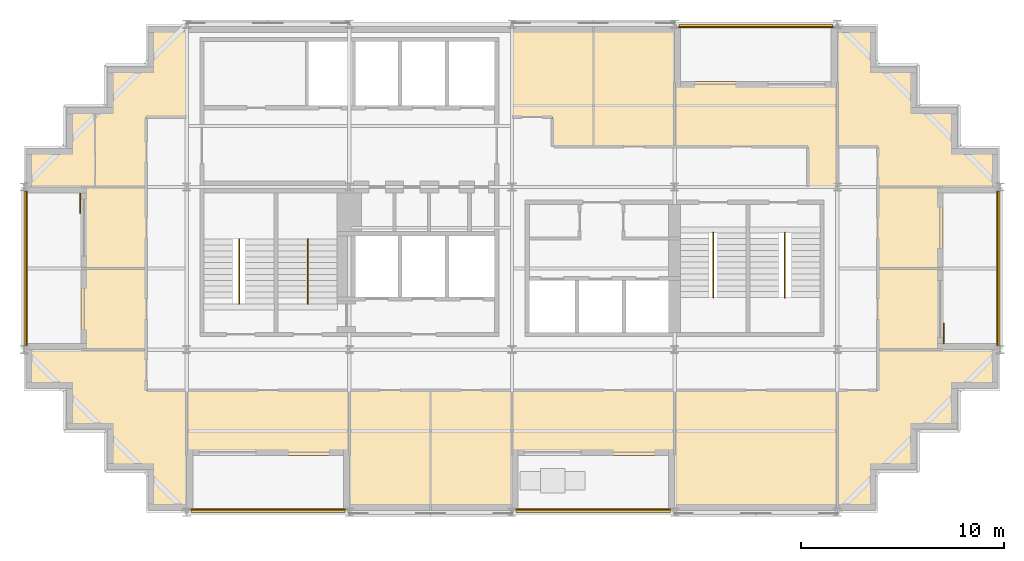
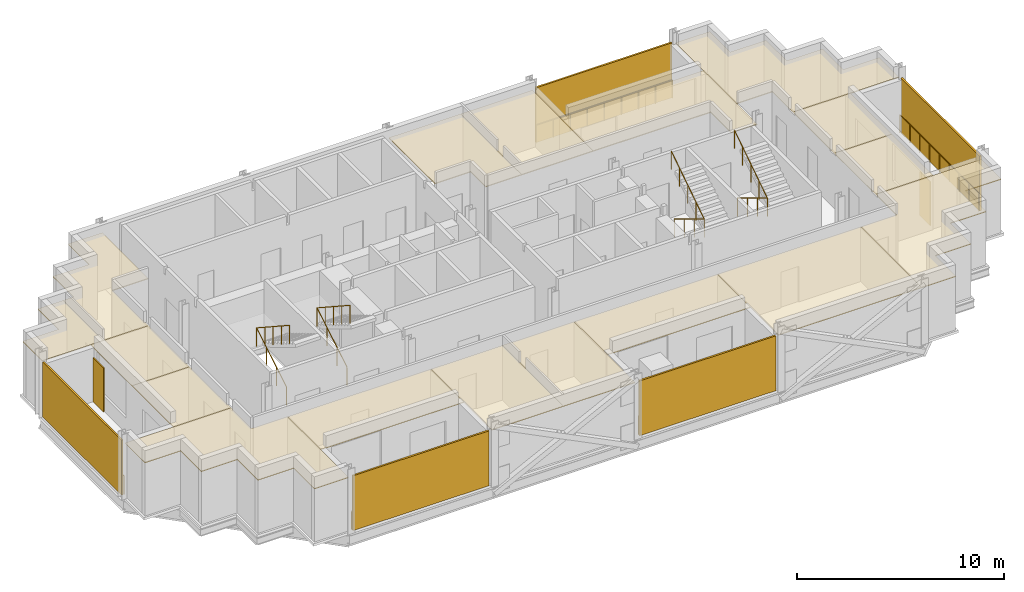
# One storey, part 9 of 10: 17 coverings, 9 railings, 7 shading devices.
"""IFC4 building model written with IfcOpenShell, lengths in metres."""

from ifc_helpers import new_model, si_unit, direction, frame, origin, origin_2d, place, context, subcontext, project, spatial, polyline, rectangle, circle, outline, extrude, material, layer, layer_set, type_object, element, save


model = new_model("IFC4")

# Units and contexts
model_context = context("Model", 3, precision=1e-05, world=origin(), true_north=direction((0.0, 1.0)))
body_context = subcontext(model_context, "Body", "Model", "MODEL_VIEW")
ifc_project = project(units=[si_unit("LENGTHUNIT", "METRE"), si_unit("AREAUNIT", "SQUARE_METRE"), si_unit("VOLUMEUNIT", "CUBIC_METRE"), si_unit("PLANEANGLEUNIT", "RADIAN"), si_unit("MASSUNIT", "GRAM", prefix="KILO")], contexts=[model_context])

# Site, building, storey
site_placement = place(None, origin())
site = spatial("IfcSite", under=ifc_project, at=site_placement, CompositionType="ELEMENT")
building_placement = place(site_placement, origin())
building = spatial("IfcBuilding", under=site, at=building_placement, Name="Immortelle Media Tower", CompositionType="ELEMENT")
storey_placement = place(building_placement, frame((0.0, 0.0, 221.0)))
storey = spatial("IfcBuildingStorey", under=building, at=storey_placement, Name="L47", CompositionType="ELEMENT", Elevation=221.0)

# Railings
ifc_material_1 = material(Name="Powder-coated aluminium fretwork panel, laminated glass backing", Category="aluminium")
railing_type_1 = type_object("IfcRailingType", Name="Fretwork balustrade 1100", PredefinedType="BALUSTRADE", material=ifc_material_1)
railing_1_placement = place(storey_placement, frame((8.199462890625, 0.139892578125, 0.0)))
element("IfcRailing", 1, at=railing_1_placement, inside=storey, type_object=railing_type_1, Name="Fretwork balustrade L47 S0", PredefinedType="BALUSTRADE", context=body_context, shape_type="SweptSolid", body=[
    extrude(circle(Radius=0.02490234375, at=origin_2d()), frame((0.0, 0.0, 1.0751953125), z_axis=(1.0, 0.0, 0.0), x_axis=(0.0, 1.0, 0.0)), (0.0, 0.0, 1.0), 7.59765625),
    extrude(circle(Radius=0.02001953125, at=origin_2d()), origin(), (0.0, 0.0, 1.0), 1.050048828125),
    extrude(circle(Radius=0.02001953125, at=origin_2d()), frame((0.94970703125, 0.0, 0.0)), (0.0, 0.0, 1.0), 1.050048828125),
    extrude(circle(Radius=0.02001953125, at=origin_2d()), frame((1.8994140625, 0.0, 0.0)), (0.0, 0.0, 1.0), 1.050048828125),
    extrude(circle(Radius=0.02001953125, at=origin_2d()), frame((2.84912109375, 0.0, 0.0)), (0.0, 0.0, 1.0), 1.050048828125),
    extrude(circle(Radius=0.02001953125, at=origin_2d()), frame((3.798828125, 0.0, 0.0)), (0.0, 0.0, 1.0), 1.050048828125),
    extrude(circle(Radius=0.02001953125, at=origin_2d()), frame((4.74853515625, 0.0, 0.0)), (0.0, 0.0, 1.0), 1.050048828125),
    extrude(circle(Radius=0.02001953125, at=origin_2d()), frame((5.6982421875, 0.0, 0.0)), (0.0, 0.0, 1.0), 1.050048828125),
    extrude(circle(Radius=0.02001953125, at=origin_2d()), frame((6.64794921875, 0.0, 0.0)), (0.0, 0.0, 1.0), 1.050048828125),
    extrude(circle(Radius=0.02001953125, at=origin_2d()), frame((7.59765625, 0.0, 0.0)), (0.0, 0.0, 1.0), 1.050048828125),
])
railing_2_placement = place(storey_placement, frame((24.202880859375, 0.139892578125, 0.0)))
element("IfcRailing", 2, at=railing_2_placement, inside=storey, type_object=railing_type_1, Name="Fretwork balustrade L47 S2", PredefinedType="BALUSTRADE", context=body_context, shape_type="SweptSolid", body=[
    extrude(circle(Radius=0.02490234375, at=origin_2d()), frame((0.0, 0.0, 1.0751953125), z_axis=(1.0, 0.0, 0.0), x_axis=(0.0, 1.0, 0.0)), (0.0, 0.0, 1.0), 7.59423828125),
    extrude(circle(Radius=0.02001953125, at=origin_2d()), origin(), (0.0, 0.0, 1.0), 1.050048828125),
    extrude(circle(Radius=0.02001953125, at=origin_2d()), frame((0.94921875, 0.0, 0.0)), (0.0, 0.0, 1.0), 1.050048828125),
    extrude(circle(Radius=0.02001953125, at=origin_2d()), frame((1.8984375, 0.0, 0.0)), (0.0, 0.0, 1.0), 1.050048828125),
    extrude(circle(Radius=0.02001953125, at=origin_2d()), frame((2.847900390625, 0.0, 0.0)), (0.0, 0.0, 1.0), 1.050048828125),
    extrude(circle(Radius=0.02001953125, at=origin_2d()), frame((3.797119140625, 0.0, 0.0)), (0.0, 0.0, 1.0), 1.050048828125),
    extrude(circle(Radius=0.02001953125, at=origin_2d()), frame((4.746337890625, 0.0, 0.0)), (0.0, 0.0, 1.0), 1.050048828125),
    extrude(circle(Radius=0.02001953125, at=origin_2d()), frame((5.69580078125, 0.0, 0.0)), (0.0, 0.0, 1.0), 1.050048828125),
    extrude(circle(Radius=0.02001953125, at=origin_2d()), frame((6.64501953125, 0.0, 0.0)), (0.0, 0.0, 1.0), 1.050048828125),
    extrude(circle(Radius=0.02001953125, at=origin_2d()), frame((7.59423828125, 0.0, 0.0)), (0.0, 0.0, 1.0), 1.050048828125),
])
railing_3_placement = place(storey_placement, frame((47.860107421875, 8.193115234375, 0.0)))
element("IfcRailing", 3, at=railing_3_placement, inside=storey, type_object=railing_type_1, Name="Fretwork balustrade L47 E0", PredefinedType="BALUSTRADE", context=body_context, shape_type="SweptSolid", body=[
    extrude(circle(Radius=0.02490234375, at=origin_2d()), frame((0.0, 0.0, 1.0751953125), z_axis=(0.0, 1.0, 0.0), x_axis=(-1.0, 0.0, 0.0)), (0.0, 0.0, 1.0), 7.61376953125),
    extrude(circle(Radius=0.02001953125, at=origin_2d()), origin(), (0.0, 0.0, 1.0), 1.050048828125),
    extrude(circle(Radius=0.02001953125, at=origin_2d()), frame((0.0, 0.95166015625, 0.0)), (0.0, 0.0, 1.0), 1.050048828125),
    extrude(circle(Radius=0.02001953125, at=origin_2d()), frame((0.0, 1.9033203125, 0.0)), (0.0, 0.0, 1.0), 1.050048828125),
    extrude(circle(Radius=0.02001953125, at=origin_2d()), frame((0.0, 2.855224609375, 0.0)), (0.0, 0.0, 1.0), 1.050048828125),
    extrude(circle(Radius=0.02001953125, at=origin_2d()), frame((0.0, 3.806884765625, 0.0)), (0.0, 0.0, 1.0), 1.050048828125),
    extrude(circle(Radius=0.02001953125, at=origin_2d()), frame((0.0, 4.758544921875, 0.0)), (0.0, 0.0, 1.0), 1.050048828125),
    extrude(circle(Radius=0.02001953125, at=origin_2d()), frame((0.0, 5.71044921875, 0.0)), (0.0, 0.0, 1.0), 1.050048828125),
    extrude(circle(Radius=0.02001953125, at=origin_2d()), frame((0.0, 6.662109375, 0.0)), (0.0, 0.0, 1.0), 1.050048828125),
    extrude(circle(Radius=0.02001953125, at=origin_2d()), frame((0.0, 7.61376953125, 0.0)), (0.0, 0.0, 1.0), 1.050048828125),
])
railing_4_placement = place(storey_placement, frame((39.800537109375, 23.860107421875, 0.0)))
element("IfcRailing", 4, at=railing_4_placement, inside=storey, type_object=railing_type_1, Name="Fretwork balustrade L47 N0", PredefinedType="BALUSTRADE", context=body_context, shape_type="SweptSolid", body=[
    extrude(circle(Radius=0.02490234375, at=origin_2d()), frame((0.0, 0.0, 1.0751953125), z_axis=(-1.0, 0.0, 0.0), x_axis=(0.0, -1.0, 0.0)), (0.0, 0.0, 1.0), 7.59765625),
    extrude(circle(Radius=0.02001953125, at=origin_2d()), origin(), (0.0, 0.0, 1.0), 1.050048828125),
    extrude(circle(Radius=0.02001953125, at=origin_2d()), frame((-0.94970703125, 0.0, 0.0)), (0.0, 0.0, 1.0), 1.050048828125),
    extrude(circle(Radius=0.02001953125, at=origin_2d()), frame((-1.8994140625, 0.0, 0.0)), (0.0, 0.0, 1.0), 1.050048828125),
    extrude(circle(Radius=0.02001953125, at=origin_2d()), frame((-2.84912109375, 0.0, 0.0)), (0.0, 0.0, 1.0), 1.050048828125),
    extrude(circle(Radius=0.02001953125, at=origin_2d()), frame((-3.798828125, 0.0, 0.0)), (0.0, 0.0, 1.0), 1.050048828125),
    extrude(circle(Radius=0.02001953125, at=origin_2d()), frame((-4.74853515625, 0.0, 0.0)), (0.0, 0.0, 1.0), 1.050048828125),
    extrude(circle(Radius=0.02001953125, at=origin_2d()), frame((-5.6982421875, 0.0, 0.0)), (0.0, 0.0, 1.0), 1.050048828125),
    extrude(circle(Radius=0.02001953125, at=origin_2d()), frame((-6.64794921875, 0.0, 0.0)), (0.0, 0.0, 1.0), 1.050048828125),
    extrude(circle(Radius=0.02001953125, at=origin_2d()), frame((-7.59765625, 0.0, 0.0)), (0.0, 0.0, 1.0), 1.050048828125),
])
railing_5_placement = place(storey_placement, frame((0.139892578125, 15.806884765625, 0.0)))
element("IfcRailing", 5, at=railing_5_placement, inside=storey, type_object=railing_type_1, Name="Fretwork balustrade L47 W0", PredefinedType="BALUSTRADE", context=body_context, shape_type="SweptSolid", body=[
    extrude(circle(Radius=0.02490234375, at=origin_2d()), frame((0.0, 0.0, 1.0751953125), z_axis=(0.0, -1.0, 0.0), x_axis=(1.0, 0.0, 0.0)), (0.0, 0.0, 1.0), 7.61376953125),
    extrude(circle(Radius=0.02001953125, at=origin_2d()), origin(), (0.0, 0.0, 1.0), 1.050048828125),
    extrude(circle(Radius=0.02001953125, at=origin_2d()), frame((0.0, -0.95166015625, 0.0)), (0.0, 0.0, 1.0), 1.050048828125),
    extrude(circle(Radius=0.02001953125, at=origin_2d()), frame((0.0, -1.9033203125, 0.0)), (0.0, 0.0, 1.0), 1.050048828125),
    extrude(circle(Radius=0.02001953125, at=origin_2d()), frame((0.0, -2.855224609375, 0.0)), (0.0, 0.0, 1.0), 1.050048828125),
    extrude(circle(Radius=0.02001953125, at=origin_2d()), frame((0.0, -3.806884765625, 0.0)), (0.0, 0.0, 1.0), 1.050048828125),
    extrude(circle(Radius=0.02001953125, at=origin_2d()), frame((0.0, -4.758544921875, 0.0)), (0.0, 0.0, 1.0), 1.050048828125),
    extrude(circle(Radius=0.02001953125, at=origin_2d()), frame((0.0, -5.71044921875, 0.0)), (0.0, 0.0, 1.0), 1.050048828125),
    extrude(circle(Radius=0.02001953125, at=origin_2d()), frame((0.0, -6.662109375, 0.0)), (0.0, 0.0, 1.0), 1.050048828125),
    extrude(circle(Radius=0.02001953125, at=origin_2d()), frame((0.0, -7.61376953125, 0.0)), (0.0, 0.0, 1.0), 1.050048828125),
])

# Shading devices
ifc_material_2 = material(Name="Pale aluminium louvre blades", Category="aluminium")
ifc_layer_1 = layer(ifc_material_2, 0.10009765625)
ifc_layer_set_1 = layer_set([ifc_layer_1], Name="Pale aluminium louvre blades")
shading_device_type_1 = type_object("IfcShadingDeviceType", Name="Jalousie screen 100", PredefinedType="JALOUSIE", material=ifc_layer_set_1)
shading_device_1_placement = place(storey_placement, frame((11.998291015625, 0.050048828125, 0.0), z_axis=(0.0, 0.0, 1.0), x_axis=(1.0, 0.0, 0.0)))
element("IfcShadingDevice", 6, at=shading_device_1_placement, inside=storey, type_object=shading_device_type_1, Name="Jalousie screen L47 S0", PredefinedType="JALOUSIE", context=body_context, shape_type="SweptSolid", body=[
    extrude(rectangle(XDim=7.597412109375, YDim=0.10009765625, at=origin_2d()), origin(), (0.0, 0.0, 1.0), 3.238037109375),
])
shading_device_2_placement = place(storey_placement, frame((28.0, 0.050048828125, 0.0), z_axis=(0.0, 0.0, 1.0), x_axis=(1.0, 0.0, 0.0)))
element("IfcShadingDevice", 7, at=shading_device_2_placement, inside=storey, type_object=shading_device_type_1, Name="Jalousie screen L47 S2", PredefinedType="JALOUSIE", context=body_context, shape_type="SweptSolid", body=[
    extrude(rectangle(XDim=7.593994140625, YDim=0.10009765625, at=origin_2d()), origin(), (0.0, 0.0, 1.0), 3.238037109375),
])
shading_device_3_placement = place(storey_placement, frame((47.949951171875, 12.0, 0.0), z_axis=(0.0, 0.0, 1.0), x_axis=(0.0, 1.0, 0.0)))
element("IfcShadingDevice", 8, at=shading_device_3_placement, inside=storey, type_object=shading_device_type_1, Name="Jalousie screen L47 E0", PredefinedType="JALOUSIE", context=body_context, shape_type="SweptSolid", body=[
    extrude(rectangle(XDim=7.614013671875, YDim=0.10009765625, at=origin_2d()), origin(), (0.0, 0.0, 1.0), 3.238037109375),
])
shading_device_4_placement = place(storey_placement, frame((36.001708984375, 23.949951171875, 0.0), z_axis=(0.0, 0.0, 1.0), x_axis=(-1.0, 0.0, 0.0)))
element("IfcShadingDevice", 9, at=shading_device_4_placement, inside=storey, type_object=shading_device_type_1, Name="Jalousie screen L47 N0", PredefinedType="JALOUSIE", context=body_context, shape_type="SweptSolid", body=[
    extrude(rectangle(XDim=7.597412109375, YDim=0.10009765625, at=origin_2d()), origin(), (0.0, 0.0, 1.0), 3.238037109375),
])
shading_device_5_placement = place(storey_placement, frame((0.050048828125, 12.0, 0.0), z_axis=(0.0, 0.0, 1.0), x_axis=(0.0, -1.0, 0.0)))
element("IfcShadingDevice", 10, at=shading_device_5_placement, inside=storey, type_object=shading_device_type_1, Name="Jalousie screen L47 W0", PredefinedType="JALOUSIE", context=body_context, shape_type="SweptSolid", body=[
    extrude(rectangle(XDim=7.614013671875, YDim=0.10009765625, at=origin_2d()), origin(), (0.0, 0.0, 1.0), 3.238037109375),
])
ifc_material_3 = material(Name="Pale aluminium louvre blades in a folding frame", Category="aluminium")
ifc_layer_2 = layer(ifc_material_3, 0.050048828125)
ifc_layer_set_2 = layer_set([ifc_layer_2], Name="Pale aluminium louvre blades in a folding frame")
shading_device_type_2 = type_object("IfcShadingDeviceType", Name="Louvred loggia shutter", PredefinedType="SHUTTER", material=ifc_layer_set_2)
for number, where, z_axis, x_axis, name in (
    (11, (45.22509765625, 8.800048828125, 0.0), (0.0, 0.0, 1.0), (0.0, 1.0, 0.0), "Loggia shutter L47 E0"),
    (12, (2.77490234375, 15.199951171875, 0.0), (0.0, 0.0, 1.0), (0.0, -1.0, 0.0), "Loggia shutter L47 W0"),
):
    element("IfcShadingDevice", number, at=place(storey_placement, frame(where, z_axis=z_axis, x_axis=x_axis)), inside=storey, type_object=shading_device_type_2, Name=name, PredefinedType="SHUTTER", context=body_context, shape_type="SweptSolid", body=[
        extrude(rectangle(XDim=1.0, YDim=0.050048828125, at=origin_2d()), origin(), (0.0, 0.0, 1.0), 2.60009765625),
    ])

# Railings
ifc_material_4 = material(Name="Stainless steel AISI 316", Category="steel")
railing_type_2 = type_object("IfcRailingType", Name="Stair guard 1100", PredefinedType="GUARDRAIL", material=ifc_material_4)
for number, where, name in (
    (13, (10.574951171875, 10.5400390625, 0.173828125), "Stair guard SW1"),
    (14, (13.949951171875, 10.5400390625, 0.173828125), "Stair guard SW2"),
):
    element("IfcRailing", number, at=place(storey_placement, frame(where)), inside=storey, type_object=railing_type_2, Name=name, PredefinedType="GUARDRAIL", context=body_context, shape_type="SweptSolid", body=[
        extrude(circle(Radius=0.02392578125, at=origin_2d()), frame((0.0, 0.0, 1.076171875), z_axis=(0.0, 0.857582100076, 0.514347102285), x_axis=(-1.0, 0.0, 0.0)), (0.0, 0.0, 1.0), 3.381591796875),
        extrude(circle(Radius=0.02392578125, at=origin_2d()), frame((0.0, 2.89990234375, 2.8154296875), z_axis=(0.0, -0.836827423118, 0.547466769693), x_axis=(1.0, 0.0, 0.0)), (0.0, 0.0, 1.0), 3.81201171875),
        extrude(circle(Radius=0.02099609375, at=origin_2d()), origin(), (0.0, 0.0, 1.0), 1.052001953125),
        extrude(circle(Radius=0.02099609375, at=origin_2d()), frame((0.0, 0.966552734375, 0.579833984375)), (0.0, 0.0, 1.0), 1.052001953125),
        extrude(circle(Radius=0.02099609375, at=origin_2d()), frame((0.0, 1.933349609375, 1.159423828125)), (0.0, 0.0, 1.0), 1.052001953125),
        extrude(circle(Radius=0.02099609375, at=origin_2d()), frame((0.0, 2.89990234375, 1.7392578125)), (0.0, 0.0, 1.0), 1.052001953125),
        extrude(circle(Radius=0.02099609375, at=origin_2d()), frame((0.0, 2.1025390625, 2.260986328125)), (0.0, 0.0, 1.0), 1.052001953125),
        extrude(circle(Radius=0.02099609375, at=origin_2d()), frame((0.0, 1.304931640625, 2.78271484375)), (0.0, 0.0, 1.0), 1.052001953125),
        extrude(circle(Radius=0.02099609375, at=origin_2d()), frame((0.0, 0.50732421875, 3.304443359375)), (0.0, 0.0, 1.0), 1.052001953125),
        extrude(circle(Radius=0.02099609375, at=origin_2d()), frame((0.0, -0.2900390625, 3.826171875)), (0.0, 0.0, 1.0), 1.052001953125),
    ])
for number, where, name in (
    (15, (33.89990234375, 13.4599609375, 0.173828125), "Stair guard SE1"),
    (16, (37.425048828125, 13.4599609375, 0.173828125), "Stair guard SE2"),
):
    element("IfcRailing", number, at=place(storey_placement, frame(where)), inside=storey, type_object=railing_type_2, Name=name, PredefinedType="GUARDRAIL", context=body_context, shape_type="SweptSolid", body=[
        extrude(circle(Radius=0.02392578125, at=origin_2d()), frame((0.0, 0.0, 1.076171875), z_axis=(0.0, -0.857582100076, 0.514347102285), x_axis=(1.0, 0.0, 0.0)), (0.0, 0.0, 1.0), 3.381591796875),
        extrude(circle(Radius=0.02392578125, at=origin_2d()), frame((0.0, -2.89990234375, 2.8154296875), z_axis=(0.0, 0.836827423118, 0.547466769693), x_axis=(-1.0, 0.0, 0.0)), (0.0, 0.0, 1.0), 3.81201171875),
        extrude(circle(Radius=0.02099609375, at=origin_2d()), origin(), (0.0, 0.0, 1.0), 1.052001953125),
        extrude(circle(Radius=0.02099609375, at=origin_2d()), frame((0.0, -0.966552734375, 0.579833984375)), (0.0, 0.0, 1.0), 1.052001953125),
        extrude(circle(Radius=0.02099609375, at=origin_2d()), frame((0.0, -1.933349609375, 1.159423828125)), (0.0, 0.0, 1.0), 1.052001953125),
        extrude(circle(Radius=0.02099609375, at=origin_2d()), frame((0.0, -2.89990234375, 1.7392578125)), (0.0, 0.0, 1.0), 1.052001953125),
        extrude(circle(Radius=0.02099609375, at=origin_2d()), frame((0.0, -2.1025390625, 2.260986328125)), (0.0, 0.0, 1.0), 1.052001953125),
        extrude(circle(Radius=0.02099609375, at=origin_2d()), frame((0.0, -1.304931640625, 2.78271484375)), (0.0, 0.0, 1.0), 1.052001953125),
        extrude(circle(Radius=0.02099609375, at=origin_2d()), frame((0.0, -0.50732421875, 3.304443359375)), (0.0, 0.0, 1.0), 1.052001953125),
        extrude(circle(Radius=0.02099609375, at=origin_2d()), frame((0.0, 0.2900390625, 3.826171875)), (0.0, 0.0, 1.0), 1.052001953125),
    ])

# Coverings
ifc_material_5 = material(Name="Mineral fibre tile ceiling")
ifc_layer_3 = layer(ifc_material_5, 0.050048828125)
ifc_layer_set_3 = layer_set([ifc_layer_3], Name="Mineral fibre tile ceiling")
covering_type = type_object("IfcCoveringType", Name="Suspended ceiling 50", PredefinedType="CEILING", material=ifc_layer_set_3)
covering_1_placement = place(storey_placement, frame((0.0, 0.0, 3.1220703125)))
element("IfcCovering", 17, at=covering_1_placement, inside=storey, type_object=covering_type, Name="Ceiling L47-001", PredefinedType="CEILING", context=body_context, shape_type="SweptSolid", body=[
    extrude(outline(polyline([(16.0, 2.800048828125), (16.0, 6.0), (20.0, 6.0), (20.0, 0.10009765625), (16.0, 0.10009765625), (16.0, 2.800048828125)])), origin(), (0.0, 0.0, 1.0), 0.050048828125),
])
covering_2_placement = place(storey_placement, frame((0.0, 0.0, 3.1220703125)))
element("IfcCovering", 18, at=covering_2_placement, inside=storey, type_object=covering_type, Name="Ceiling L47-002", PredefinedType="CEILING", context=body_context, shape_type="SweptSolid", body=[
    extrude(outline(polyline([(24.0, 6.0), (24.0, 2.800048828125), (24.0, 0.10009765625), (20.0, 0.10009765625), (20.0, 6.0), (24.0, 6.0)])), origin(), (0.0, 0.0, 1.0), 0.050048828125),
])
covering_3_placement = place(storey_placement, frame((0.0, 0.0, 3.1220703125)))
element("IfcCovering", 19, at=covering_3_placement, inside=storey, type_object=covering_type, Name="Ceiling L47-003", PredefinedType="CEILING", context=body_context, shape_type="SweptSolid", body=[
    extrude(outline(polyline([(32.0, 0.10009765625), (32.0, 2.800048828125), (32.0, 6.0), (40.0, 6.0), (40.0, 0.10009765625), (32.0, 0.10009765625)])), origin(), (0.0, 0.0, 1.0), 0.050048828125),
])
covering_4_placement = place(storey_placement, frame((0.0, 0.0, 3.1220703125)))
element("IfcCovering", 20, at=covering_4_placement, inside=storey, type_object=covering_type, Name="Ceiling L47-004", PredefinedType="CEILING", context=body_context, shape_type="SweptSolid", body=[
    extrude(outline(polyline([(8.0, 2.800048828125), (8.0, 6.0), (16.0, 6.0), (16.0, 2.800048828125), (8.0, 2.800048828125)])), origin(), (0.0, 0.0, 1.0), 0.050048828125),
])
covering_5_placement = place(storey_placement, frame((0.0, 0.0, 3.1220703125)))
element("IfcCovering", 21, at=covering_5_placement, inside=storey, type_object=covering_type, Name="Ceiling L47-005", PredefinedType="CEILING", context=body_context, shape_type="SweptSolid", body=[
    extrude(outline(polyline([(24.0, 2.800048828125), (24.0, 6.0), (26.0, 6.0), (32.0, 6.0), (32.0, 2.800048828125), (24.0, 2.800048828125)])), origin(), (0.0, 0.0, 1.0), 0.050048828125),
])
covering_6_placement = place(storey_placement, frame((0.0, 0.0, 3.1220703125)))
element("IfcCovering", 22, at=covering_6_placement, inside=storey, type_object=covering_type, Name="Ceiling L47-006", PredefinedType="CEILING", context=body_context, shape_type="SweptSolid", body=[
    extrude(outline(polyline([(6.10009765625, 0.10009765625), (6.10009765625, 2.10009765625), (4.10009765625, 2.10009765625), (4.10009765625, 4.10009765625), (2.10009765625, 4.10009765625), (2.10009765625, 6.10009765625), (0.10009765625, 6.10009765625), (0.10009765625, 8.0), (2.800048828125, 8.0), (6.0, 8.0), (6.0, 6.0), (8.0, 6.0), (8.0, 2.800048828125), (8.0, 0.10009765625), (6.10009765625, 0.10009765625)])), origin(), (0.0, 0.0, 1.0), 0.050048828125),
])
covering_7_placement = place(storey_placement, frame((0.0, 0.0, 3.1220703125)))
element("IfcCovering", 23, at=covering_7_placement, inside=storey, type_object=covering_type, Name="Ceiling L47-007", PredefinedType="CEILING", context=body_context, shape_type="SweptSolid", body=[
    extrude(outline(polyline([(43.89990234375, 2.10009765625), (41.89990234375, 2.10009765625), (41.89990234375, 0.10009765625), (40.0, 0.10009765625), (40.0, 6.0), (42.0, 6.0), (42.0, 8.0), (44.0, 8.0), (45.199951171875, 8.0), (47.89990234375, 8.0), (47.89990234375, 6.10009765625), (45.89990234375, 6.10009765625), (45.89990234375, 4.10009765625), (44.0, 4.10009765625), (43.89990234375, 4.10009765625), (43.89990234375, 2.10009765625)])), origin(), (0.0, 0.0, 1.0), 0.050048828125),
])
covering_8_placement = place(storey_placement, frame((0.0, 0.0, 3.1220703125)))
element("IfcCovering", 24, at=covering_8_placement, inside=storey, type_object=covering_type, Name="Ceiling L47-008", PredefinedType="CEILING", context=body_context, shape_type="SweptSolid", body=[
    extrude(outline(polyline([(2.800048828125, 8.0), (2.800048828125, 12.0), (6.0, 12.0), (6.0, 8.0), (2.800048828125, 8.0)])), origin(), (0.0, 0.0, 1.0), 0.050048828125),
])
covering_9_placement = place(storey_placement, frame((0.0, 0.0, 3.1220703125)))
element("IfcCovering", 25, at=covering_9_placement, inside=storey, type_object=covering_type, Name="Ceiling L47-009", PredefinedType="CEILING", context=body_context, shape_type="SweptSolid", body=[
    extrude(outline(polyline([(2.800048828125, 16.0), (6.0, 16.0), (6.0, 12.0), (2.800048828125, 12.0), (2.800048828125, 16.0)])), origin(), (0.0, 0.0, 1.0), 0.050048828125),
])
covering_10_placement = place(storey_placement, frame((0.0, 0.0, 3.1220703125)))
element("IfcCovering", 26, at=covering_10_placement, inside=storey, type_object=covering_type, Name="Ceiling L47-010", PredefinedType="CEILING", context=body_context, shape_type="SweptSolid", body=[
    extrude(outline(polyline([(42.0, 8.0), (42.0, 12.0), (45.199951171875, 12.0), (45.199951171875, 8.0), (42.0, 8.0)])), origin(), (0.0, 0.0, 1.0), 0.050048828125),
])
covering_11_placement = place(storey_placement, frame((0.0, 0.0, 3.1220703125)))
element("IfcCovering", 27, at=covering_11_placement, inside=storey, type_object=covering_type, Name="Ceiling L47-011", PredefinedType="CEILING", context=body_context, shape_type="SweptSolid", body=[
    extrude(outline(polyline([(42.0, 16.0), (45.199951171875, 16.0), (45.199951171875, 12.0), (42.0, 12.0), (42.0, 16.0)])), origin(), (0.0, 0.0, 1.0), 0.050048828125),
])
covering_12_placement = place(storey_placement, frame((0.0, 0.0, 3.1220703125)))
element("IfcCovering", 28, at=covering_12_placement, inside=storey, type_object=covering_type, Name="Ceiling L47-012", PredefinedType="CEILING", context=body_context, shape_type="SweptSolid", body=[
    extrude(outline(polyline([(6.0, 16.0), (3.5, 16.0), (3.5, 19.89990234375), (4.10009765625, 19.89990234375), (4.10009765625, 21.89990234375), (6.10009765625, 21.89990234375), (6.10009765625, 23.89990234375), (8.0, 23.89990234375), (8.0, 19.449951171875), (6.0, 19.449951171875), (6.0, 16.0)])), origin(), (0.0, 0.0, 1.0), 0.050048828125),
])
covering_13_placement = place(storey_placement, frame((0.0, 0.0, 3.1220703125)))
element("IfcCovering", 29, at=covering_13_placement, inside=storey, type_object=covering_type, Name="Ceiling L47-013", PredefinedType="CEILING", context=body_context, shape_type="SweptSolid", body=[
    extrude(outline(polyline([(2.800048828125, 16.0), (0.10009765625, 16.0), (0.10009765625, 17.89990234375), (2.10009765625, 17.89990234375), (2.10009765625, 19.89990234375), (3.5, 19.89990234375), (3.5, 16.0), (2.800048828125, 16.0)])), origin(), (0.0, 0.0, 1.0), 0.050048828125),
])
covering_14_placement = place(storey_placement, frame((0.0, 0.0, 3.1220703125)))
element("IfcCovering", 30, at=covering_14_placement, inside=storey, type_object=covering_type, Name="Ceiling L47-014", PredefinedType="CEILING", context=body_context, shape_type="SweptSolid", body=[
    extrude(outline(polyline([(45.89990234375, 19.89990234375), (45.89990234375, 17.89990234375), (47.89990234375, 17.89990234375), (47.89990234375, 16.0), (45.199951171875, 16.0), (44.0, 16.0), (42.0, 16.0), (42.0, 18.0), (40.0, 18.0), (40.0, 21.199951171875), (40.0, 23.89990234375), (41.89990234375, 23.89990234375), (41.89990234375, 21.89990234375), (43.89990234375, 21.89990234375), (43.89990234375, 19.89990234375), (44.0, 19.89990234375), (45.89990234375, 19.89990234375)])), origin(), (0.0, 0.0, 1.0), 0.050048828125),
])
covering_15_placement = place(storey_placement, frame((0.0, 0.0, 3.1220703125)))
element("IfcCovering", 31, at=covering_15_placement, inside=storey, type_object=covering_type, Name="Ceiling L47-015", PredefinedType="CEILING", context=body_context, shape_type="SweptSolid", body=[
    extrude(outline(polyline([(38.550048828125, 16.0), (38.550048828125, 18.0), (32.0, 18.0), (32.0, 21.199951171875), (40.0, 21.199951171875), (40.0, 18.0), (40.0, 16.0), (38.550048828125, 16.0)])), origin(), (0.0, 0.0, 1.0), 0.050048828125),
])
covering_16_placement = place(storey_placement, frame((0.0, 0.0, 3.1220703125)))
element("IfcCovering", 32, at=covering_16_placement, inside=storey, type_object=covering_type, Name="Ceiling L47-016", PredefinedType="CEILING", context=body_context, shape_type="SweptSolid", body=[
    extrude(outline(polyline([(26.0, 18.0), (26.0, 19.449951171875), (24.0, 19.449951171875), (24.0, 21.199951171875), (24.0, 23.89990234375), (28.0, 23.89990234375), (28.0, 18.0), (27.0, 18.0), (26.0, 18.0)])), origin(), (0.0, 0.0, 1.0), 0.050048828125),
])
covering_17_placement = place(storey_placement, frame((0.0, 0.0, 3.1220703125)))
element("IfcCovering", 33, at=covering_17_placement, inside=storey, type_object=covering_type, Name="Ceiling L47-017", PredefinedType="CEILING", context=body_context, shape_type="SweptSolid", body=[
    extrude(outline(polyline([(32.0, 23.89990234375), (32.0, 21.199951171875), (32.0, 18.0), (28.0, 18.0), (28.0, 23.89990234375), (32.0, 23.89990234375)])), origin(), (0.0, 0.0, 1.0), 0.050048828125),
])

save(model, "model.ifc")
